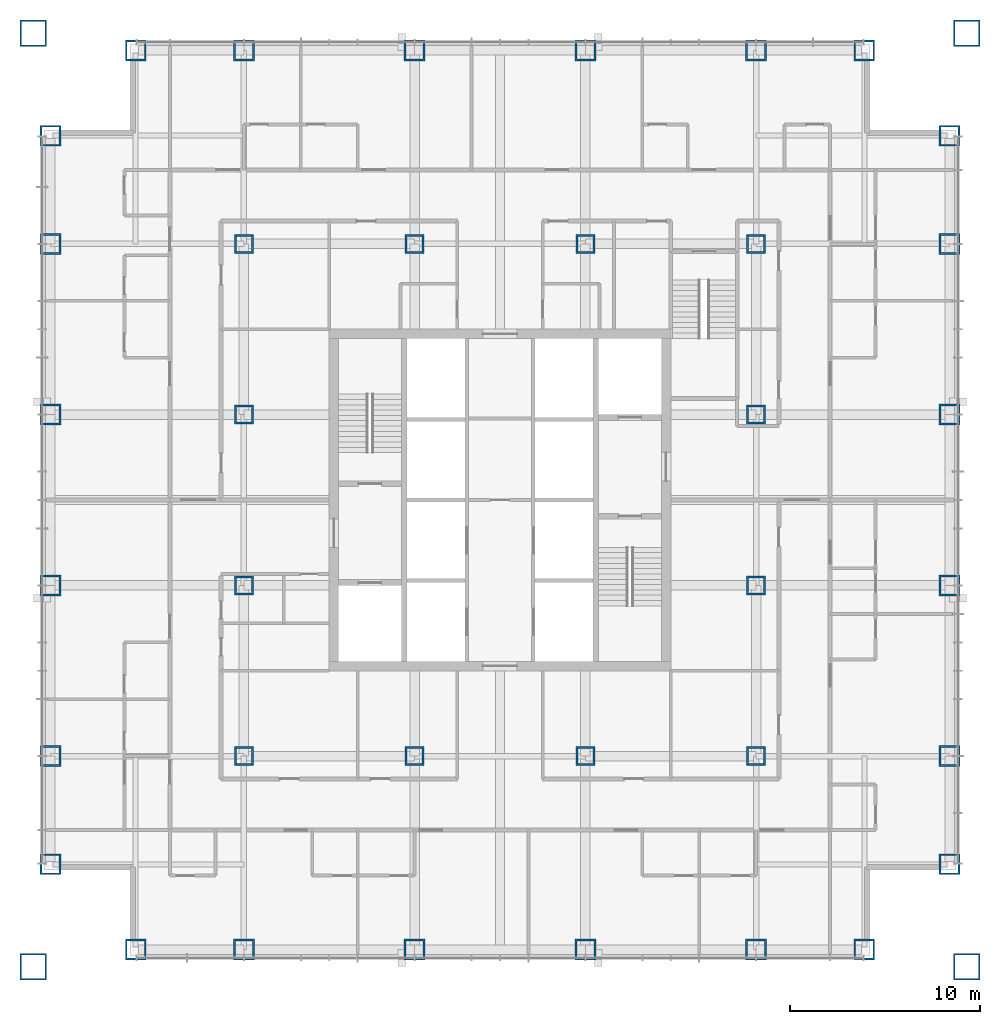
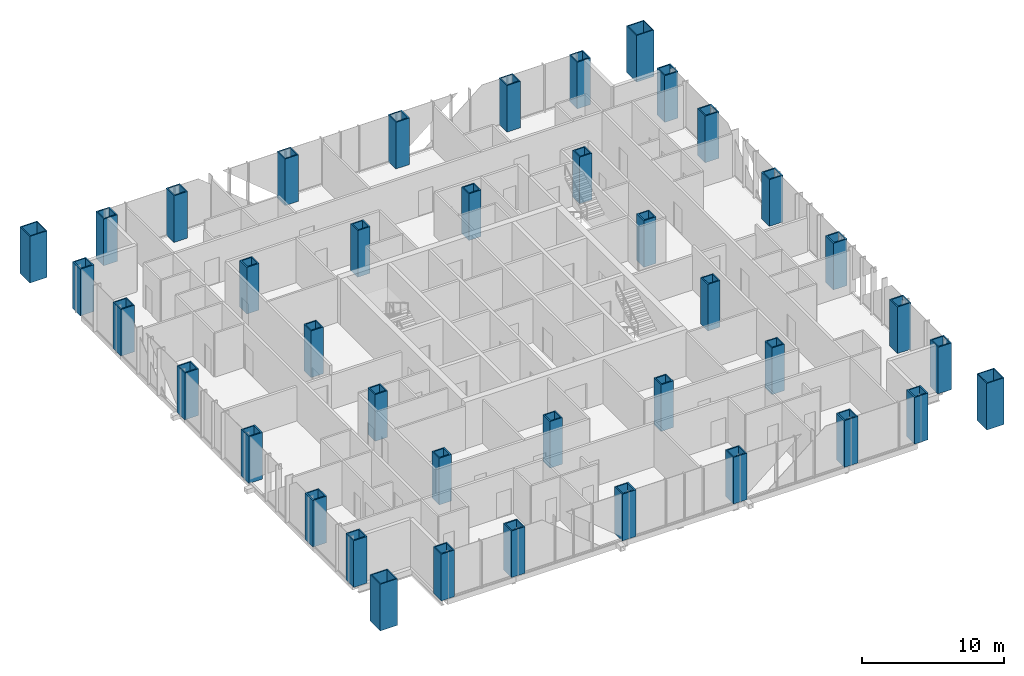
# One storey, part 1 of 18: 40 columns.
"""IFC4 building model written with IfcOpenShell, lengths in metres."""

from ifc_helpers import new_model, si_unit, direction, frame, origin, origin_2d, place, context, subcontext, project, spatial, hollow_rectangle, extrude, material, material_profile, profile_set, type_object, element, save


model = new_model("IFC4")

# Units and contexts
model_context = context("Model", 3, precision=1e-05, world=origin(), true_north=direction((0.0, 1.0)))
body_context = subcontext(model_context, "Body", "Model", "MODEL_VIEW")
ifc_project = project(units=[si_unit("LENGTHUNIT", "METRE"), si_unit("AREAUNIT", "SQUARE_METRE"), si_unit("VOLUMEUNIT", "CUBIC_METRE"), si_unit("PLANEANGLEUNIT", "RADIAN"), si_unit("MASSUNIT", "GRAM", prefix="KILO")], contexts=[model_context])

# Site, building, storey
site_placement = place(None, origin())
site = spatial("IfcSite", under=ifc_project, at=site_placement, CompositionType="ELEMENT")
building_placement = place(site_placement, origin())
building = spatial("IfcBuilding", under=site, at=building_placement, Name="Malebo Sky Hospital", CompositionType="ELEMENT")
storey_placement = place(building_placement, frame((0.0, 0.0, 124.0)))
storey = spatial("IfcBuildingStorey", under=building, at=storey_placement, Name="L29", CompositionType="ELEMENT", Elevation=124.0)

# Columns
ifc_material = material(Name="Steel S460", Category="steel")
ifc_material_profile_1 = material_profile(ifc_material, hollow_rectangle(XDim=1.0, YDim=1.0, WallThickness=0.10009765625, at=origin_2d()), Name="BOX 1000x1000x100")
ifc_profile_set_1 = profile_set([ifc_material_profile_1], Name="Steel S460")
column_type_1 = type_object("IfcColumnType", Name="INNER COLUMN BOX 1000x1000x100", PredefinedType="COLUMN", material=ifc_profile_set_1)
for number, where, z_axis, x_axis, name in (
    (1, (46.5, 48.5, 0.0), (0.0, 0.0, 1.0), (1.0, 0.0, 0.0), "Column IC9 L29"),
    (2, (73.5, 48.5, 0.0), (0.0, 0.0, 1.0), (1.0, 0.0, 0.0), "Column IC9 L29"),
    (3, (73.5, 75.5, 0.0), (0.0, 0.0, 1.0), (1.0, 0.0, 0.0), "Column IC9 L29"),
    (4, (46.5, 75.5, 0.0), (0.0, 0.0, 1.0), (1.0, 0.0, 0.0), "Column IC9 L29"),
    (5, (55.5, 48.5, 0.0), (0.0, 0.0, 1.0), (1.0, 0.0, 0.0), "Column IC9 L29"),
    (6, (64.5, 48.5, 0.0), (0.0, 0.0, 1.0), (1.0, 0.0, 0.0), "Column IC9 L29"),
    (7, (55.5, 75.5, 0.0), (0.0, 0.0, 1.0), (1.0, 0.0, 0.0), "Column IC9 L29"),
    (8, (64.5, 75.5, 0.0), (0.0, 0.0, 1.0), (1.0, 0.0, 0.0), "Column IC9 L29"),
    (9, (46.5, 57.5, 0.0), (0.0, 0.0, 1.0), (1.0, 0.0, 0.0), "Column IC9 L29"),
    (10, (46.5, 66.5, 0.0), (0.0, 0.0, 1.0), (1.0, 0.0, 0.0), "Column IC9 L29"),
    (11, (73.5, 57.5, 0.0), (0.0, 0.0, 1.0), (1.0, 0.0, 0.0), "Column IC9 L29"),
    (12, (73.5, 66.5, 0.0), (0.0, 0.0, 1.0), (1.0, 0.0, 0.0), "Column IC9 L29"),
):
    element("IfcColumn", number, at=place(storey_placement, frame(where, z_axis=z_axis, x_axis=x_axis)), inside=storey, type_object=column_type_1, Name=name, PredefinedType="COLUMN", context=body_context, shape_type="SweptSolid", body=[
        extrude(hollow_rectangle(XDim=1.0, YDim=1.0, WallThickness=0.10009765625, at=origin_2d()), origin(), (0.0, 0.0, 1.0), 4.0),
    ])
ifc_material_profile_2 = material_profile(ifc_material, hollow_rectangle(XDim=1.39990234375, YDim=1.39990234375, WallThickness=0.080078125, at=origin_2d()), Name="BOX 1400x1400x80")
ifc_profile_set_2 = profile_set([ifc_material_profile_2], Name="Steel S460")
column_type_2 = type_object("IfcColumnType", Name="MEGA COLUMN BOX 1400x1400x80", PredefinedType="COLUMN", material=ifc_profile_set_2)
for number, where, z_axis, x_axis, name in (
    (13, (35.39990234375, 37.39990234375, 0.0), (0.0, 0.0, 1.0), (1.0, 0.0, 0.0), "Mega column SW L29"),
    (14, (84.60009765625, 37.39990234375, 0.0), (0.0, 0.0, 1.0), (1.0, 0.0, 0.0), "Mega column SE L29"),
    (15, (84.60009765625, 86.60009765625, 0.0), (0.0, 0.0, 1.0), (1.0, 0.0, 0.0), "Mega column NE L29"),
    (16, (35.39990234375, 86.60009765625, 0.0), (0.0, 0.0, 1.0), (1.0, 0.0, 0.0), "Mega column NW L29"),
):
    element("IfcColumn", number, at=place(storey_placement, frame(where, z_axis=z_axis, x_axis=x_axis)), inside=storey, type_object=column_type_2, Name=name, PredefinedType="COLUMN", context=body_context, shape_type="SweptSolid", body=[
        extrude(hollow_rectangle(XDim=1.39990234375, YDim=1.39990234375, WallThickness=0.080078125, at=origin_2d()), origin(), (0.0, 0.0, 1.0), 4.0),
    ])
ifc_material_profile_3 = material_profile(ifc_material, hollow_rectangle(XDim=1.10009765625, YDim=1.10009765625, WallThickness=0.10009765625, at=origin_2d()), Name="BOX 1100x1100x100")
ifc_profile_set_3 = profile_set([ifc_material_profile_3], Name="Steel S460")
column_type_3 = type_object("IfcColumnType", Name="PERIMETER COLUMN BOX 1100x1100x100", PredefinedType="COLUMN", material=ifc_profile_set_3)
for number, where, z_axis, x_axis, name in (
    (17, (40.800048828125, 38.300048828125, 0.0), (0.0, 0.0, 1.0), (1.0, 0.0, 0.0), "Column PC10 L29"),
    (18, (40.800048828125, 85.699951171875, 0.0), (0.0, 0.0, 1.0), (1.0, 0.0, 0.0), "Column PC10 L29"),
    (19, (36.300048828125, 42.800048828125, 0.0), (0.0, 0.0, 1.0), (1.0, 0.0, 0.0), "Column PC10 L29"),
    (20, (83.699951171875, 42.800048828125, 0.0), (0.0, 0.0, 1.0), (1.0, 0.0, 0.0), "Column PC10 L29"),
    (21, (46.5, 38.300048828125, 0.0), (0.0, 0.0, 1.0), (1.0, 0.0, 0.0), "Column PC10 L29"),
    (22, (46.5, 85.699951171875, 0.0), (0.0, 0.0, 1.0), (1.0, 0.0, 0.0), "Column PC10 L29"),
    (23, (36.300048828125, 48.5, 0.0), (0.0, 0.0, 1.0), (1.0, 0.0, 0.0), "Column PC10 L29"),
    (24, (83.699951171875, 48.5, 0.0), (0.0, 0.0, 1.0), (1.0, 0.0, 0.0), "Column PC10 L29"),
    (25, (55.5, 38.300048828125, 0.0), (0.0, 0.0, 1.0), (1.0, 0.0, 0.0), "Column PC10 L29"),
    (26, (55.5, 85.699951171875, 0.0), (0.0, 0.0, 1.0), (1.0, 0.0, 0.0), "Column PC10 L29"),
    (27, (36.300048828125, 57.5, 0.0), (0.0, 0.0, 1.0), (1.0, 0.0, 0.0), "Column PC10 L29"),
    (28, (83.699951171875, 57.5, 0.0), (0.0, 0.0, 1.0), (1.0, 0.0, 0.0), "Column PC10 L29"),
    (29, (64.5, 38.300048828125, 0.0), (0.0, 0.0, 1.0), (1.0, 0.0, 0.0), "Column PC10 L29"),
    (30, (64.5, 85.699951171875, 0.0), (0.0, 0.0, 1.0), (1.0, 0.0, 0.0), "Column PC10 L29"),
    (31, (36.300048828125, 66.5, 0.0), (0.0, 0.0, 1.0), (1.0, 0.0, 0.0), "Column PC10 L29"),
    (32, (83.699951171875, 66.5, 0.0), (0.0, 0.0, 1.0), (1.0, 0.0, 0.0), "Column PC10 L29"),
    (33, (73.5, 38.300048828125, 0.0), (0.0, 0.0, 1.0), (1.0, 0.0, 0.0), "Column PC10 L29"),
    (34, (73.5, 85.699951171875, 0.0), (0.0, 0.0, 1.0), (1.0, 0.0, 0.0), "Column PC10 L29"),
    (35, (36.300048828125, 75.5, 0.0), (0.0, 0.0, 1.0), (1.0, 0.0, 0.0), "Column PC10 L29"),
    (36, (83.699951171875, 75.5, 0.0), (0.0, 0.0, 1.0), (1.0, 0.0, 0.0), "Column PC10 L29"),
    (37, (79.199951171875, 38.300048828125, 0.0), (0.0, 0.0, 1.0), (1.0, 0.0, 0.0), "Column PC10 L29"),
    (38, (79.199951171875, 85.699951171875, 0.0), (0.0, 0.0, 1.0), (1.0, 0.0, 0.0), "Column PC10 L29"),
    (39, (36.300048828125, 81.199951171875, 0.0), (0.0, 0.0, 1.0), (1.0, 0.0, 0.0), "Column PC10 L29"),
    (40, (83.699951171875, 81.199951171875, 0.0), (0.0, 0.0, 1.0), (1.0, 0.0, 0.0), "Column PC10 L29"),
):
    element("IfcColumn", number, at=place(storey_placement, frame(where, z_axis=z_axis, x_axis=x_axis)), inside=storey, type_object=column_type_3, Name=name, PredefinedType="COLUMN", context=body_context, shape_type="SweptSolid", body=[
        extrude(hollow_rectangle(XDim=1.10009765625, YDim=1.10009765625, WallThickness=0.10009765625, at=origin_2d()), origin(), (0.0, 0.0, 1.0), 4.0),
    ])

save(model, "model.ifc")
